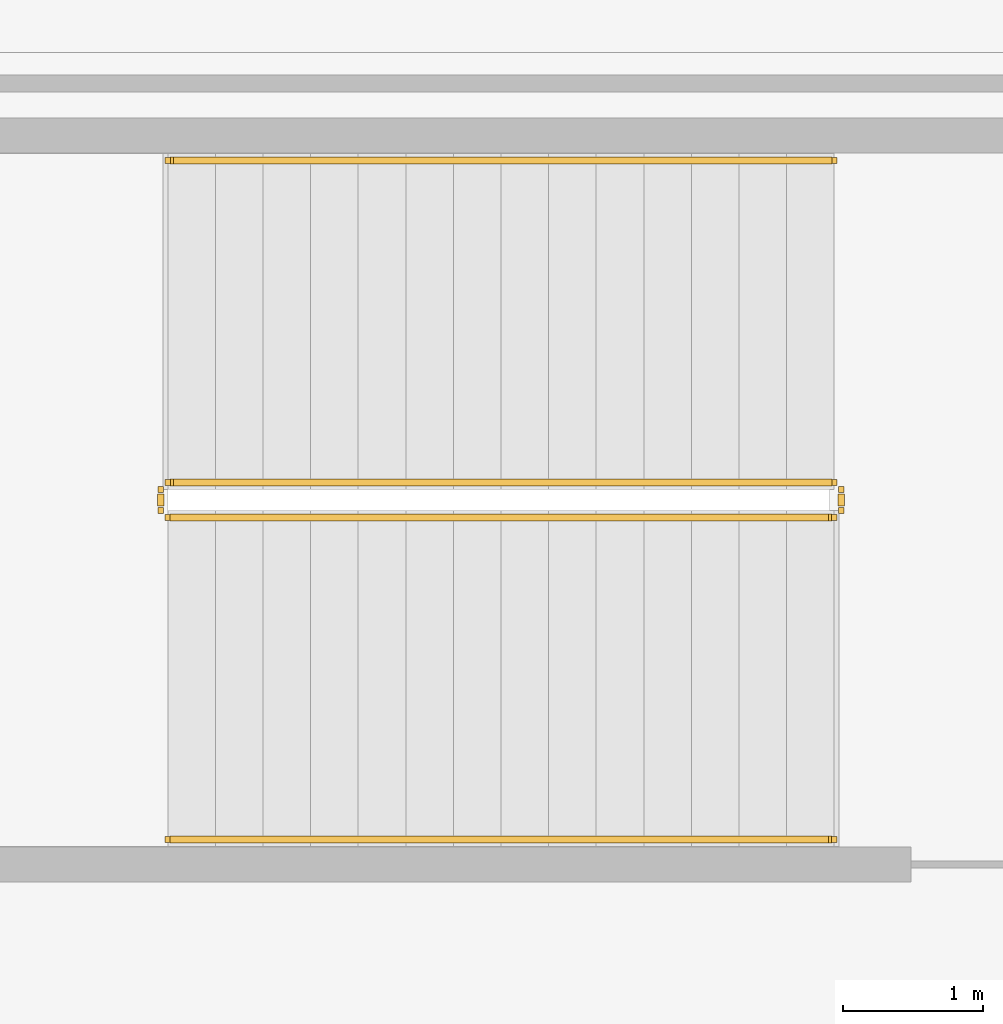
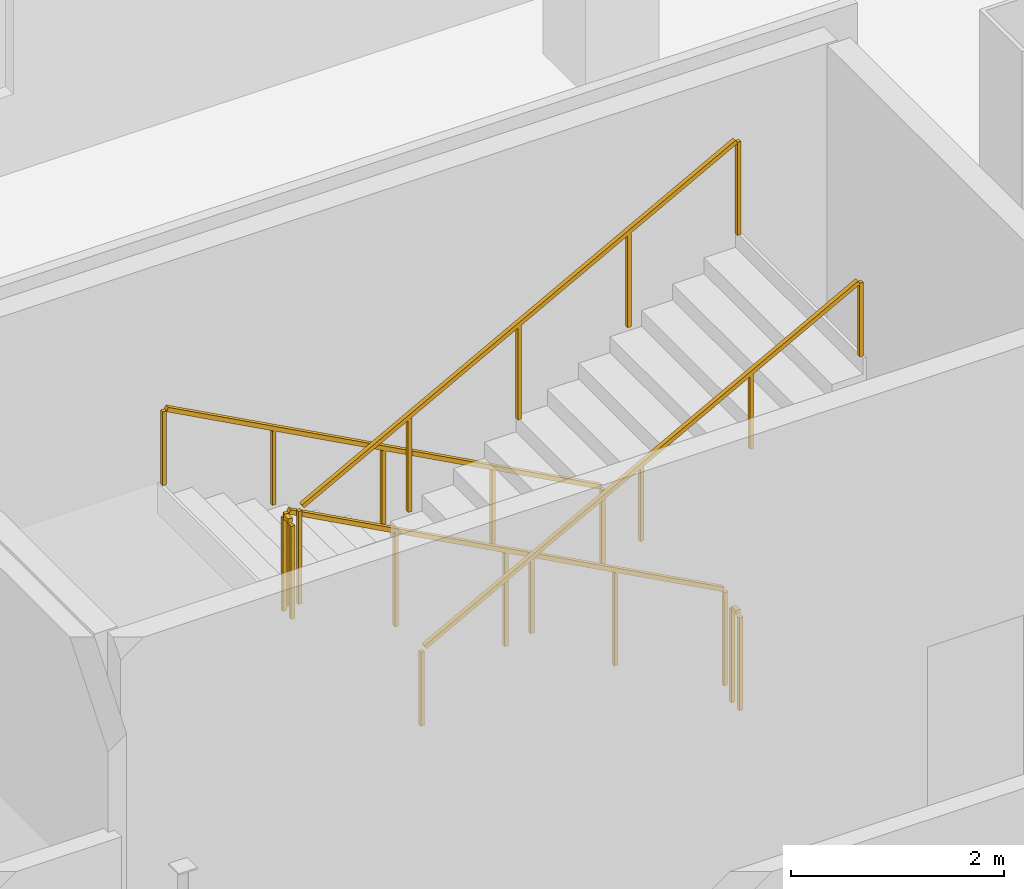
# One storey, part 19 of 19: 6 railings.
"""IFC4 building model written with IfcOpenShell, lengths in metres."""

from ifc_helpers import new_model, si_unit, direction, frame, origin, origin_2d, place, context, subcontext, project, spatial, rectangle, extrude, material, type_object, element, save


model = new_model("IFC4")

# Units and contexts
model_context = context("Model", 3, precision=1e-05, world=origin(), true_north=direction((0.0, 1.0)))
body_context = subcontext(model_context, "Body", "Model", "MODEL_VIEW")
ifc_project = project(units=[si_unit("LENGTHUNIT", "METRE"), si_unit("AREAUNIT", "SQUARE_METRE"), si_unit("VOLUMEUNIT", "CUBIC_METRE"), si_unit("PLANEANGLEUNIT", "RADIAN"), si_unit("MASSUNIT", "GRAM", prefix="KILO")], contexts=[model_context])

# Site, building, storey
site_placement = place(None, origin())
site = spatial("IfcSite", under=ifc_project, at=site_placement, CompositionType="ELEMENT")
building_placement = place(site_placement, origin())
building = spatial("IfcBuilding", under=site, at=building_placement, Name="Tharavind Bronze Gate", CompositionType="ELEMENT")
storey_placement = place(building_placement, frame((0.0, 0.0, 11.0)))
storey = spatial("IfcBuildingStorey", under=building, at=storey_placement, Name="L02", CompositionType="ELEMENT", Elevation=11.0)

# Railings
ifc_material = material(Name="Brushed Bronze Alloy", Category="metal")
railing_type_1 = type_object("IfcRailingType", Name="STAIR BRONZE HANDRAIL 900", PredefinedType="HANDRAIL", material=ifc_material)
railing_1_placement = place(storey_placement, frame((26.0, 17.89990234375, 0.183349609375)))
element("IfcRailing", 1, at=railing_1_placement, inside=storey, type_object=railing_type_1, Name="L02 ST4 stair handrail 1", PredefinedType="HANDRAIL", context=body_context, shape_type="SweptSolid", body=[
    extrude(rectangle(XDim=0.048095703125, YDim=0.048095703125, at=origin_2d()), frame((-0.028076171875, 0.0, 0.89111328125), z_axis=(-0.880195524343, 0.0, 0.474611250316), x_axis=(0.0, -1.0, 0.0)), (0.0, 0.0, 1.0), 5.343994140625),
    extrude(rectangle(XDim=0.0400390625, YDim=0.0400390625, at=origin_2d()), origin(), (0.0, 0.0, 1.0), 0.847900390625),
    extrude(rectangle(XDim=0.0400390625, YDim=0.0400390625, at=origin_2d()), frame((-1.18994140625, 0.0, 0.6416015625)), (0.0, 0.0, 1.0), 0.847900390625),
    extrude(rectangle(XDim=0.0400390625, YDim=0.0400390625, at=origin_2d()), frame((-2.3798828125, 0.0, 1.283203125)), (0.0, 0.0, 1.0), 0.847900390625),
    extrude(rectangle(XDim=0.0400390625, YDim=0.0400390625, at=origin_2d()), frame((-3.570068359375, 0.0, 1.925048828125)), (0.0, 0.0, 1.0), 0.847900390625),
    extrude(rectangle(XDim=0.0400390625, YDim=0.0400390625, at=origin_2d()), frame((-4.760009765625, 0.0, 2.566650390625)), (0.0, 0.0, 1.0), 0.847900390625),
])
railing_2_placement = place(storey_placement, frame((21.239990234375, 13.050048828125, 2.933349609375)))
element("IfcRailing", 2, at=railing_2_placement, inside=storey, type_object=railing_type_1, Name="L02 ST4 stair handrail 2", PredefinedType="HANDRAIL", context=body_context, shape_type="SweptSolid", body=[
    extrude(rectangle(XDim=0.048095703125, YDim=0.048095703125, at=origin_2d()), frame((0.028076171875, 0.0, 0.89111328125), z_axis=(0.880195524343, 0.0, 0.474611250316), x_axis=(0.0, 1.0, 0.0)), (0.0, 0.0, 1.0), 5.343994140625),
    extrude(rectangle(XDim=0.0400390625, YDim=0.0400390625, at=origin_2d()), origin(), (0.0, 0.0, 1.0), 0.847900390625),
    extrude(rectangle(XDim=0.0400390625, YDim=0.0400390625, at=origin_2d()), frame((1.18994140625, 0.0, 0.6416015625)), (0.0, 0.0, 1.0), 0.847900390625),
    extrude(rectangle(XDim=0.0400390625, YDim=0.0400390625, at=origin_2d()), frame((2.3798828125, 0.0, 1.283203125)), (0.0, 0.0, 1.0), 0.847900390625),
    extrude(rectangle(XDim=0.0400390625, YDim=0.0400390625, at=origin_2d()), frame((3.570068359375, 0.0, 1.925048828125)), (0.0, 0.0, 1.0), 0.847900390625),
    extrude(rectangle(XDim=0.0400390625, YDim=0.0400390625, at=origin_2d()), frame((4.760009765625, 0.0, 2.566650390625)), (0.0, 0.0, 1.0), 0.847900390625),
])
railing_type_2 = type_object("IfcRailingType", Name="STAIR WELL GUARD RAILING 1120", PredefinedType="GUARDRAIL", material=ifc_material)
railing_3_placement = place(storey_placement, frame((26.0, 15.60009765625, 0.183349609375)))
element("IfcRailing", 3, at=railing_3_placement, inside=storey, type_object=railing_type_2, Name="L02 ST4 stair guard 1", PredefinedType="GUARDRAIL", context=body_context, shape_type="SweptSolid", body=[
    extrude(rectangle(XDim=0.048095703125, YDim=0.048095703125, at=origin_2d()), frame((-0.028076171875, 0.0, 1.111328125), z_axis=(-0.880195524343, 0.0, 0.474611250316), x_axis=(0.0, -1.0, 0.0)), (0.0, 0.0, 1.0), 5.343994140625),
    extrude(rectangle(XDim=0.0400390625, YDim=0.0400390625, at=origin_2d()), origin(), (0.0, 0.0, 1.0), 1.068115234375),
    extrude(rectangle(XDim=0.0400390625, YDim=0.0400390625, at=origin_2d()), frame((-1.18994140625, 0.0, 0.6416015625)), (0.0, 0.0, 1.0), 1.068115234375),
    extrude(rectangle(XDim=0.0400390625, YDim=0.0400390625, at=origin_2d()), frame((-2.3798828125, 0.0, 1.283203125)), (0.0, 0.0, 1.0), 1.068115234375),
    extrude(rectangle(XDim=0.0400390625, YDim=0.0400390625, at=origin_2d()), frame((-3.570068359375, 0.0, 1.925048828125)), (0.0, 0.0, 1.0), 1.068115234375),
    extrude(rectangle(XDim=0.0400390625, YDim=0.0400390625, at=origin_2d()), frame((-4.760009765625, 0.0, 2.566650390625)), (0.0, 0.0, 1.0), 1.068115234375),
])
railing_4_placement = place(storey_placement, frame((21.18994140625, 15.550048828125, 2.75)))
element("IfcRailing", 4, at=railing_4_placement, inside=storey, type_object=railing_type_2, Name="L02 ST4 stair guard 2", PredefinedType="GUARDRAIL", context=body_context, shape_type="SweptSolid", body=[
    extrude(rectangle(XDim=0.048095703125, YDim=0.048095703125, at=origin_2d()), frame((0.0, -0.031982421875, 1.09619140625), z_axis=(0.0, -1.0, 0.0), x_axis=(1.0, 0.0, 0.0)), (0.0, 0.0, 1.0), 0.086181640625),
    extrude(rectangle(XDim=0.0400390625, YDim=0.0400390625, at=origin_2d()), origin(), (0.0, 0.0, 1.0), 1.068115234375),
    extrude(rectangle(XDim=0.0400390625, YDim=0.0400390625, at=origin_2d()), frame((0.0, -0.150146484375, 0.0)), (0.0, 0.0, 1.0), 1.068115234375),
])
railing_5_placement = place(storey_placement, frame((21.239990234375, 15.35009765625, 2.933349609375)))
element("IfcRailing", 5, at=railing_5_placement, inside=storey, type_object=railing_type_2, Name="L02 ST4 stair guard 3", PredefinedType="GUARDRAIL", context=body_context, shape_type="SweptSolid", body=[
    extrude(rectangle(XDim=0.048095703125, YDim=0.048095703125, at=origin_2d()), frame((0.028076171875, 0.0, 1.111328125), z_axis=(0.880195524343, 0.0, 0.474611250316), x_axis=(0.0, 1.0, 0.0)), (0.0, 0.0, 1.0), 5.343994140625),
    extrude(rectangle(XDim=0.0400390625, YDim=0.0400390625, at=origin_2d()), origin(), (0.0, 0.0, 1.0), 1.068115234375),
    extrude(rectangle(XDim=0.0400390625, YDim=0.0400390625, at=origin_2d()), frame((1.18994140625, 0.0, 0.6416015625)), (0.0, 0.0, 1.0), 1.068115234375),
    extrude(rectangle(XDim=0.0400390625, YDim=0.0400390625, at=origin_2d()), frame((2.3798828125, 0.0, 1.283203125)), (0.0, 0.0, 1.0), 1.068115234375),
    extrude(rectangle(XDim=0.0400390625, YDim=0.0400390625, at=origin_2d()), frame((3.570068359375, 0.0, 1.925048828125)), (0.0, 0.0, 1.0), 1.068115234375),
    extrude(rectangle(XDim=0.0400390625, YDim=0.0400390625, at=origin_2d()), frame((4.760009765625, 0.0, 2.566650390625)), (0.0, 0.0, 1.0), 1.068115234375),
])
railing_6_placement = place(storey_placement, frame((26.050048828125, 15.550048828125, 0.0)))
element("IfcRailing", 6, at=railing_6_placement, inside=storey, type_object=railing_type_2, Name="L02 ST4 stair guard 4", PredefinedType="GUARDRAIL", context=body_context, shape_type="SweptSolid", body=[
    extrude(rectangle(XDim=0.048095703125, YDim=0.048095703125, at=origin_2d()), frame((0.0, -0.031982421875, 1.09619140625), z_axis=(0.0, -1.0, 0.0), x_axis=(1.0, 0.0, 0.0)), (0.0, 0.0, 1.0), 0.086181640625),
    extrude(rectangle(XDim=0.0400390625, YDim=0.0400390625, at=origin_2d()), origin(), (0.0, 0.0, 1.0), 1.068115234375),
    extrude(rectangle(XDim=0.0400390625, YDim=0.0400390625, at=origin_2d()), frame((0.0, -0.150146484375, 0.0)), (0.0, 0.0, 1.0), 1.068115234375),
])

save(model, "model.ifc")
